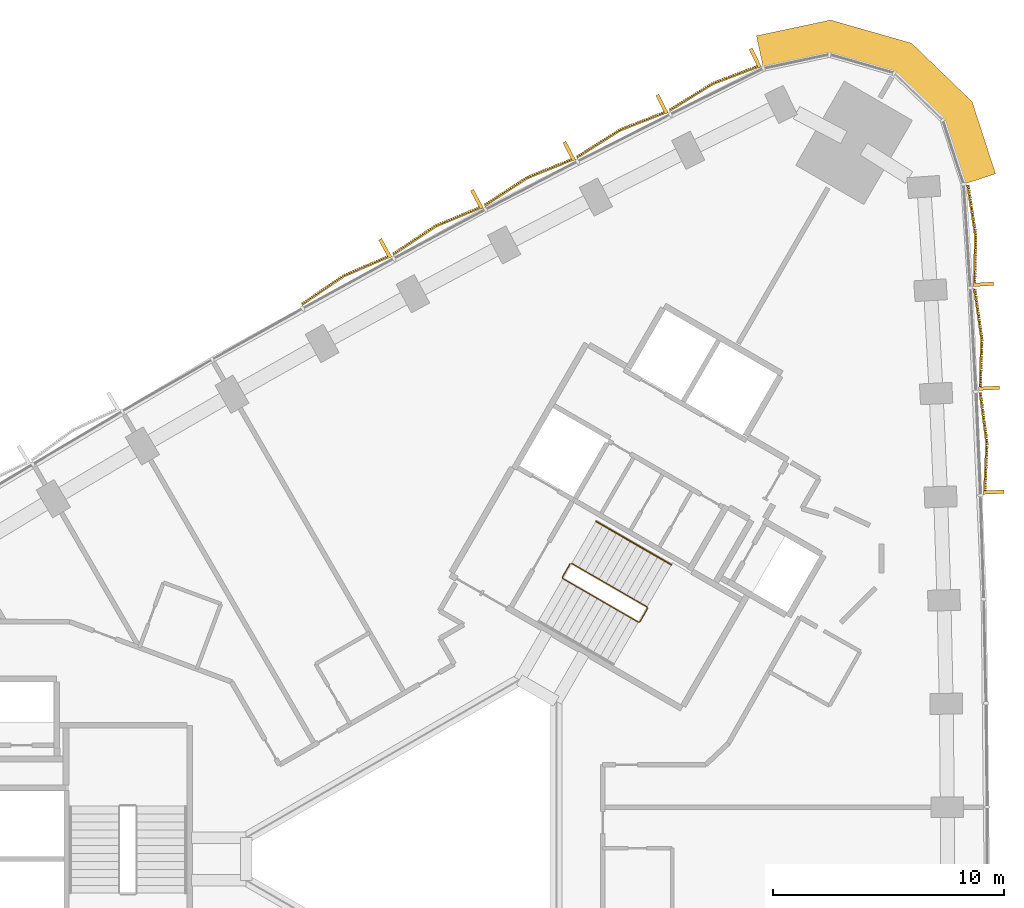
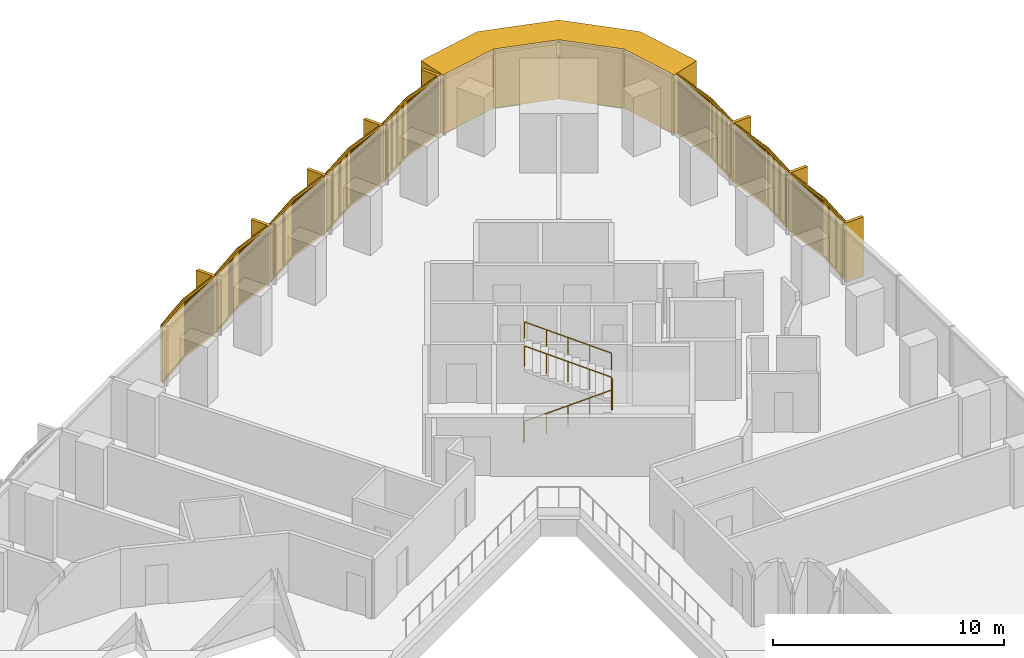
# One storey, part 15 of 15: 9 coverings, 2 railings.
"""IFC4 building model written with IfcOpenShell, lengths in metres."""

from ifc_helpers import new_model, si_unit, direction, frame, frame_2d, origin, origin_2d, place, context, subcontext, project, spatial, polyline, rectangle, circle, outline, extrude, source, transform, mapped, material, layer, layer_set, type_object, element, save


model = new_model("IFC4")

# Units and contexts
model_context = context("Model", 3, precision=1e-05, world=origin(), true_north=direction((0.0, 1.0)))
body_context = subcontext(model_context, "Body", "Model", "MODEL_VIEW")
ifc_project = project(units=[si_unit("LENGTHUNIT", "METRE"), si_unit("AREAUNIT", "SQUARE_METRE"), si_unit("VOLUMEUNIT", "CUBIC_METRE"), si_unit("PLANEANGLEUNIT", "RADIAN"), si_unit("MASSUNIT", "GRAM", prefix="KILO")], contexts=[model_context])

# Site, building, storey
site_placement = place(None, origin())
site = spatial("IfcSite", under=ifc_project, at=site_placement, CompositionType="ELEMENT")
building_placement = place(site_placement, origin())
building = spatial("IfcBuilding", under=site, at=building_placement, Name="Tamra Quay Hotel Tower", CompositionType="ELEMENT")
storey_placement = place(building_placement, frame((0.0, 0.0, 42.199951171875)))
storey = spatial("IfcBuildingStorey", under=building, at=storey_placement, Name="L08", CompositionType="ELEMENT", Elevation=42.199951171875)

# Covering
ifc_material_1 = material(Name="Precast concrete M60 terracotta-coloured", Category="masonry")
ifc_layer = layer(ifc_material_1, 1.449951171875)
ifc_layer_set = layer_set([ifc_layer], Name="CORNER PIER PANEL")
covering_type_1 = type_object("IfcCoveringType", Name="CORNER PIER PANEL", PredefinedType="CLADDING", material=ifc_layer_set)
covering_placement = place(storey_placement, origin())
element("IfcCovering", 1, at=covering_placement, inside=storey, type_object=covering_type_1, Name="Corner pier L08.east", PredefinedType="CLADDING", context=body_context, shape_type="SweptSolid", body=[
    extrude(outline(polyline([(22.598876953125, 29.154296875), (23.977783203125, 29.602294921875), (22.96533203125, 32.718017578125), (20.3486328125, 35.244873046875), (16.85205078125, 36.24755859375), (13.6474609375, 35.56640625), (13.948974609375, 34.148193359375), (16.7998046875, 34.754150390625), (19.601318359375, 33.95068359375), (21.697998046875, 31.926025390625), (22.598876953125, 29.154296875)])), origin(), (0.0, 0.0, 1.0), 3.125),
])

# Railings
ifc_material_2 = material(Name="Stair guard 1100")
railing_type_1 = type_object("IfcRailingType", Name="Stair guard 1100", PredefinedType="GUARDRAIL", material=ifc_material_2)
railing_1_placement = place(storey_placement, frame((5.595458984375, 12.751953125, 0.0)))
element("IfcRailing", 2, at=railing_1_placement, inside=storey, type_object=railing_type_1, Name="GR", PredefinedType="GUARDRAIL", context=body_context, shape_type="SweptSolid", body=[
    extrude(circle(Radius=0.02392578125, at=origin_2d()), frame((0.0, 0.0, 1.076171875), z_axis=(-0.499765215335, -0.866160914346, 0.0), x_axis=(0.866160914346, -0.499765215335, 0.0)), (0.0, 0.0, 1.0), 0.658935546875),
    extrude(circle(Radius=0.02392578125, at=origin_2d()), frame((-0.329345703125, -0.57080078125, 1.076171875), z_axis=(0.110378772244, -0.410609032747, 0.905105932399), x_axis=(0.965715946433, 0.259601060869, 0.0)), (0.0, 0.0, 1.0), 0.165771484375),
    extrude(circle(Radius=0.02392578125, at=origin_2d()), frame((-0.31103515625, -0.638916015625, 1.22607421875), z_axis=(0.793078462799, -0.457933869594, 0.401650498471), x_axis=(0.500040788363, 0.866001853331, 0.0)), (0.0, 0.0, 1.0), 4.10791015625),
    extrude(circle(Radius=0.02392578125, at=origin_2d()), frame((2.94677734375, -2.52001953125, 2.8759765625), z_axis=(0.965948051503, 0.258736085224, 0.0), x_axis=(-0.258736085224, 0.965948051503, 0.0)), (0.0, 0.0, 1.0), 0.07080078125),
    extrude(circle(Radius=0.02392578125, at=origin_2d()), frame((3.01513671875, -2.501708984375, 2.8759765625), z_axis=(0.500043078269, 0.866000531106, 0.0), x_axis=(-0.866000531106, 0.500043078269, 0.0)), (0.0, 0.0, 1.0), 0.6591796875),
    extrude(circle(Radius=0.02392578125, at=origin_2d()), frame((3.3447265625, -1.930908203125, 2.8759765625), z_axis=(-0.110525977783, 0.411156637351, 0.904839338113), x_axis=(-0.965715946433, -0.259601060869, 0.0)), (0.0, 0.0, 1.0), 0.165771484375),
    extrude(circle(Radius=0.02392578125, at=origin_2d()), frame((3.326416015625, -1.86279296875, 3.02587890625), z_axis=(-0.793081581205, 0.457901355053, 0.401681409319), x_axis=(-0.500012686397, -0.866018079166, 0.0)), (0.0, 0.0, 1.0), 4.108154296875),
    extrude(circle(Radius=0.02099609375, at=origin_2d()), origin(), (0.0, 0.0, 1.0), 1.052001953125),
    extrude(circle(Radius=0.02099609375, at=origin_2d()), frame((-0.329345703125, -0.57080078125, 0.0)), (0.0, 0.0, 1.0), 1.052001953125),
    extrude(circle(Radius=0.02099609375, at=origin_2d()), frame((-0.31103515625, -0.638916015625, 0.150146484375)), (0.0, 0.0, 1.0), 1.052001953125),
    extrude(circle(Radius=0.02099609375, at=origin_2d()), frame((0.50341796875, -1.109130859375, 0.5625)), (0.0, 0.0, 1.0), 1.052001953125),
    extrude(circle(Radius=0.02099609375, at=origin_2d()), frame((1.31787109375, -1.57958984375, 0.97509765625)), (0.0, 0.0, 1.0), 1.052001953125),
    extrude(circle(Radius=0.02099609375, at=origin_2d()), frame((2.13232421875, -2.0498046875, 1.3876953125)), (0.0, 0.0, 1.0), 1.052001953125),
    extrude(circle(Radius=0.02099609375, at=origin_2d()), frame((2.94677734375, -2.52001953125, 1.800048828125)), (0.0, 0.0, 1.0), 1.052001953125),
    extrude(circle(Radius=0.02099609375, at=origin_2d()), frame((3.01513671875, -2.501708984375, 1.800048828125)), (0.0, 0.0, 1.0), 1.052001953125),
    extrude(circle(Radius=0.02099609375, at=origin_2d()), frame((3.3447265625, -1.930908203125, 1.800048828125)), (0.0, 0.0, 1.0), 1.052001953125),
    extrude(circle(Radius=0.02099609375, at=origin_2d()), frame((3.326416015625, -1.86279296875, 1.949951171875)), (0.0, 0.0, 1.0), 1.052001953125),
    extrude(circle(Radius=0.02099609375, at=origin_2d()), frame((2.511962890625, -1.392578125, 2.362548828125)), (0.0, 0.0, 1.0), 1.052001953125),
    extrude(circle(Radius=0.02099609375, at=origin_2d()), frame((1.697265625, -0.92236328125, 2.77490234375)), (0.0, 0.0, 1.0), 1.052001953125),
    extrude(circle(Radius=0.02099609375, at=origin_2d()), frame((0.8828125, -0.451904296875, 3.1875)), (0.0, 0.0, 1.0), 1.052001953125),
    extrude(circle(Radius=0.02099609375, at=origin_2d()), frame((0.068359375, 0.018310546875, 3.60009765625)), (0.0, 0.0, 1.0), 1.052001953125),
])
ifc_material_3 = material(Name="Stair handrail 900")
railing_type_2 = type_object("IfcRailingType", Name="Stair handrail 900", PredefinedType="HANDRAIL", material=ifc_material_3)
railing_2_placement = place(storey_placement, frame((9.971923828125, 12.7080078125, 1.949951171875)))
element("IfcRailing", 3, at=railing_2_placement, inside=storey, type_object=railing_type_2, Name="HR", PredefinedType="HANDRAIL", context=body_context, shape_type="SweptSolid", body=[
    extrude(circle(Radius=0.02392578125, at=origin_2d()), frame((0.0, 0.0, 0.8759765625), z_axis=(-0.793103162556, 0.457854384738, 0.401692339881), x_axis=(-0.499964013922, -0.86604617936, 0.0)), (0.0, 0.0, 1.0), 4.10791015625),
    extrude(circle(Radius=0.02099609375, at=origin_2d()), origin(), (0.0, 0.0, 1.0), 0.851806640625),
    extrude(circle(Radius=0.02099609375, at=origin_2d()), frame((-0.814453125, 0.47021484375, 0.41259765625)), (0.0, 0.0, 1.0), 0.851806640625),
    extrude(circle(Radius=0.02099609375, at=origin_2d()), frame((-1.62890625, 0.9404296875, 0.8251953125)), (0.0, 0.0, 1.0), 0.851806640625),
    extrude(circle(Radius=0.02099609375, at=origin_2d()), frame((-2.443603515625, 1.41064453125, 1.237548828125)), (0.0, 0.0, 1.0), 0.851806640625),
    extrude(circle(Radius=0.02099609375, at=origin_2d()), frame((-3.258056640625, 1.880859375, 1.650146484375)), (0.0, 0.0, 1.0), 0.851806640625),
])

# Coverings
ifc_material_4 = material(Name="Terracotta baguette extruded", Category="masonry")
covering_type_2 = type_object("IfcCoveringType", Name="BAGUETTE SCREEN E-V H3125", PredefinedType="USERDEFINED", material=ifc_material_4)
shared_shape_1 = source(origin(), body_context, "Body", "SweptSolid", [
    extrude(rectangle(XDim=2.2109375, YDim=0.06005859375, at=frame_2d((1.10546875, 0.030029296875))), frame((-2.207763671875, -0.057861328125, -0.1201171875), z_axis=(0.0, 0.0, 1.0), x_axis=(0.996194698092, -0.087155742748, 0.0)), (0.0, 0.0, 1.0), 0.1201171875),
    extrude(rectangle(XDim=2.2109375, YDim=0.06005859375, at=frame_2d((1.10546875, 0.030029296875))), frame((-2.207763671875, -0.057861328125, -3.125), z_axis=(0.0, 0.0, 1.0), x_axis=(0.996194698092, -0.087155742748, 0.0)), (0.0, 0.0, 1.0), 0.1201171875),
    extrude(rectangle(XDim=0.070068359375, YDim=0.10009765625, at=frame_2d((0.03515625, 0.050048828125))), frame((-2.1875, -0.13232421875, -3.06494140625)), (0.0, 0.0, 1.0), 3.0048828125),
    extrude(rectangle(XDim=0.070068359375, YDim=0.10009765625, at=frame_2d((0.03515625, 0.050048828125))), frame((-2.08740234375, -0.14111328125, -3.06494140625)), (0.0, 0.0, 1.0), 3.0048828125),
    extrude(rectangle(XDim=0.070068359375, YDim=0.10009765625, at=frame_2d((0.03515625, 0.050048828125))), frame((-1.9873046875, -0.14990234375, -3.06494140625)), (0.0, 0.0, 1.0), 3.0048828125),
    extrude(rectangle(XDim=0.070068359375, YDim=0.10009765625, at=frame_2d((0.03515625, 0.050048828125))), frame((-1.88720703125, -0.15869140625, -3.06494140625)), (0.0, 0.0, 1.0), 3.0048828125),
    extrude(rectangle(XDim=0.070068359375, YDim=0.10009765625, at=frame_2d((0.03515625, 0.050048828125))), frame((-1.787109375, -0.16748046875, -3.06494140625)), (0.0, 0.0, 1.0), 3.0048828125),
    extrude(rectangle(XDim=0.070068359375, YDim=0.10009765625, at=frame_2d((0.03515625, 0.050048828125))), frame((-1.686767578125, -0.17626953125, -3.06494140625)), (0.0, 0.0, 1.0), 3.0048828125),
    extrude(rectangle(XDim=0.070068359375, YDim=0.10009765625, at=frame_2d((0.03515625, 0.050048828125))), frame((-1.586669921875, -0.184814453125, -3.06494140625)), (0.0, 0.0, 1.0), 3.0048828125),
    extrude(rectangle(XDim=0.070068359375, YDim=0.10009765625, at=frame_2d((0.03515625, 0.050048828125))), frame((-1.486572265625, -0.193603515625, -3.06494140625)), (0.0, 0.0, 1.0), 3.0048828125),
    extrude(rectangle(XDim=0.070068359375, YDim=0.10009765625, at=frame_2d((0.03515625, 0.050048828125))), frame((-1.386474609375, -0.202392578125, -3.06494140625)), (0.0, 0.0, 1.0), 3.0048828125),
    extrude(rectangle(XDim=0.070068359375, YDim=0.10009765625, at=frame_2d((0.03515625, 0.050048828125))), frame((-1.286376953125, -0.211181640625, -3.06494140625)), (0.0, 0.0, 1.0), 3.0048828125),
    extrude(rectangle(XDim=0.070068359375, YDim=0.10009765625, at=frame_2d((0.03515625, 0.050048828125))), frame((-1.186279296875, -0.219970703125, -3.06494140625)), (0.0, 0.0, 1.0), 3.0048828125),
    extrude(rectangle(XDim=0.070068359375, YDim=0.10009765625, at=frame_2d((0.03515625, 0.050048828125))), frame((-1.086181640625, -0.228759765625, -3.06494140625)), (0.0, 0.0, 1.0), 3.0048828125),
    extrude(rectangle(XDim=0.070068359375, YDim=0.10009765625, at=frame_2d((0.03515625, 0.050048828125))), frame((-0.986083984375, -0.237548828125, -3.06494140625)), (0.0, 0.0, 1.0), 3.0048828125),
    extrude(rectangle(XDim=0.070068359375, YDim=0.10009765625, at=frame_2d((0.03515625, 0.050048828125))), frame((-0.885986328125, -0.246337890625, -3.06494140625)), (0.0, 0.0, 1.0), 3.0048828125),
    extrude(rectangle(XDim=0.070068359375, YDim=0.10009765625, at=frame_2d((0.03515625, 0.050048828125))), frame((-0.785888671875, -0.2548828125, -3.06494140625)), (0.0, 0.0, 1.0), 3.0048828125),
    extrude(rectangle(XDim=0.070068359375, YDim=0.10009765625, at=frame_2d((0.03515625, 0.050048828125))), frame((-0.685791015625, -0.263671875, -3.06494140625)), (0.0, 0.0, 1.0), 3.0048828125),
    extrude(rectangle(XDim=0.070068359375, YDim=0.10009765625, at=frame_2d((0.03515625, 0.050048828125))), frame((-0.585693359375, -0.2724609375, -3.06494140625)), (0.0, 0.0, 1.0), 3.0048828125),
    extrude(rectangle(XDim=0.070068359375, YDim=0.10009765625, at=frame_2d((0.03515625, 0.050048828125))), frame((-0.485595703125, -0.28125, -3.06494140625)), (0.0, 0.0, 1.0), 3.0048828125),
    extrude(rectangle(XDim=0.070068359375, YDim=0.10009765625, at=frame_2d((0.03515625, 0.050048828125))), frame((-0.385498046875, -0.2900390625, -3.06494140625)), (0.0, 0.0, 1.0), 3.0048828125),
    extrude(rectangle(XDim=0.070068359375, YDim=0.10009765625, at=frame_2d((0.03515625, 0.050048828125))), frame((-0.285400390625, -0.298828125, -3.06494140625)), (0.0, 0.0, 1.0), 3.0048828125),
    extrude(rectangle(XDim=0.070068359375, YDim=0.10009765625, at=frame_2d((0.03515625, 0.050048828125))), frame((-0.18505859375, -0.3076171875, -3.06494140625)), (0.0, 0.0, 1.0), 3.0048828125),
    extrude(rectangle(XDim=0.070068359375, YDim=0.10009765625, at=frame_2d((0.03515625, 0.050048828125))), frame((-0.0849609375, -0.31640625, -3.06494140625)), (0.0, 0.0, 1.0), 3.0048828125),
    extrude(rectangle(XDim=2.2109375, YDim=0.06005859375, at=frame_2d((1.10546875, 0.030029296875))), frame((0.005126953125, -0.25048828125, -0.1201171875), z_axis=(0.0, 0.0, 1.0), x_axis=(0.996194698092, 0.087155742748, 0.0)), (0.0, 0.0, 1.0), 0.1201171875),
    extrude(rectangle(XDim=2.2109375, YDim=0.06005859375, at=frame_2d((1.10546875, 0.030029296875))), frame((0.005126953125, -0.25048828125, -3.125), z_axis=(0.0, 0.0, 1.0), x_axis=(0.996194698092, 0.087155742748, 0.0)), (0.0, 0.0, 1.0), 0.1201171875),
    extrude(rectangle(XDim=0.070068359375, YDim=0.10009765625, at=frame_2d((0.03515625, 0.050048828125))), frame((0.01513671875, -0.31640625, -3.06494140625)), (0.0, 0.0, 1.0), 3.0048828125),
    extrude(rectangle(XDim=0.070068359375, YDim=0.10009765625, at=frame_2d((0.03515625, 0.050048828125))), frame((0.115234375, -0.3076171875, -3.06494140625)), (0.0, 0.0, 1.0), 3.0048828125),
    extrude(rectangle(XDim=0.070068359375, YDim=0.10009765625, at=frame_2d((0.03515625, 0.050048828125))), frame((0.21533203125, -0.298828125, -3.06494140625)), (0.0, 0.0, 1.0), 3.0048828125),
    extrude(rectangle(XDim=0.070068359375, YDim=0.10009765625, at=frame_2d((0.03515625, 0.050048828125))), frame((0.3154296875, -0.2900390625, -3.06494140625)), (0.0, 0.0, 1.0), 3.0048828125),
    extrude(rectangle(XDim=0.070068359375, YDim=0.10009765625, at=frame_2d((0.03515625, 0.050048828125))), frame((0.41552734375, -0.28125, -3.06494140625)), (0.0, 0.0, 1.0), 3.0048828125),
    extrude(rectangle(XDim=0.070068359375, YDim=0.10009765625, at=frame_2d((0.03515625, 0.050048828125))), frame((0.515625, -0.2724609375, -3.06494140625)), (0.0, 0.0, 1.0), 3.0048828125),
    extrude(rectangle(XDim=0.070068359375, YDim=0.10009765625, at=frame_2d((0.03515625, 0.050048828125))), frame((0.61572265625, -0.263671875, -3.06494140625)), (0.0, 0.0, 1.0), 3.0048828125),
    extrude(rectangle(XDim=0.070068359375, YDim=0.10009765625, at=frame_2d((0.03515625, 0.050048828125))), frame((0.7158203125, -0.2548828125, -3.06494140625)), (0.0, 0.0, 1.0), 3.0048828125),
    extrude(rectangle(XDim=0.070068359375, YDim=0.10009765625, at=frame_2d((0.03515625, 0.050048828125))), frame((0.81591796875, -0.246337890625, -3.06494140625)), (0.0, 0.0, 1.0), 3.0048828125),
    extrude(rectangle(XDim=0.070068359375, YDim=0.10009765625, at=frame_2d((0.03515625, 0.050048828125))), frame((0.916015625, -0.237548828125, -3.06494140625)), (0.0, 0.0, 1.0), 3.0048828125),
    extrude(rectangle(XDim=0.070068359375, YDim=0.10009765625, at=frame_2d((0.03515625, 0.050048828125))), frame((1.01611328125, -0.228759765625, -3.06494140625)), (0.0, 0.0, 1.0), 3.0048828125),
    extrude(rectangle(XDim=0.070068359375, YDim=0.10009765625, at=frame_2d((0.03515625, 0.050048828125))), frame((1.1162109375, -0.219970703125, -3.06494140625)), (0.0, 0.0, 1.0), 3.0048828125),
    extrude(rectangle(XDim=0.070068359375, YDim=0.10009765625, at=frame_2d((0.03515625, 0.050048828125))), frame((1.21630859375, -0.211181640625, -3.06494140625)), (0.0, 0.0, 1.0), 3.0048828125),
    extrude(rectangle(XDim=0.070068359375, YDim=0.10009765625, at=frame_2d((0.03515625, 0.050048828125))), frame((1.316650390625, -0.202392578125, -3.06494140625)), (0.0, 0.0, 1.0), 3.0048828125),
    extrude(rectangle(XDim=0.070068359375, YDim=0.10009765625, at=frame_2d((0.03515625, 0.050048828125))), frame((1.416748046875, -0.193603515625, -3.06494140625)), (0.0, 0.0, 1.0), 3.0048828125),
    extrude(rectangle(XDim=0.070068359375, YDim=0.10009765625, at=frame_2d((0.03515625, 0.050048828125))), frame((1.516845703125, -0.184814453125, -3.06494140625)), (0.0, 0.0, 1.0), 3.0048828125),
    extrude(rectangle(XDim=0.070068359375, YDim=0.10009765625, at=frame_2d((0.03515625, 0.050048828125))), frame((1.616943359375, -0.17626953125, -3.06494140625)), (0.0, 0.0, 1.0), 3.0048828125),
    extrude(rectangle(XDim=0.070068359375, YDim=0.10009765625, at=frame_2d((0.03515625, 0.050048828125))), frame((1.717041015625, -0.16748046875, -3.06494140625)), (0.0, 0.0, 1.0), 3.0048828125),
    extrude(rectangle(XDim=0.070068359375, YDim=0.10009765625, at=frame_2d((0.03515625, 0.050048828125))), frame((1.817138671875, -0.15869140625, -3.06494140625)), (0.0, 0.0, 1.0), 3.0048828125),
    extrude(rectangle(XDim=0.070068359375, YDim=0.10009765625, at=frame_2d((0.03515625, 0.050048828125))), frame((1.917236328125, -0.14990234375, -3.06494140625)), (0.0, 0.0, 1.0), 3.0048828125),
    extrude(rectangle(XDim=0.070068359375, YDim=0.10009765625, at=frame_2d((0.03515625, 0.050048828125))), frame((2.017333984375, -0.14111328125, -3.06494140625)), (0.0, 0.0, 1.0), 3.0048828125),
    extrude(rectangle(XDim=0.070068359375, YDim=0.10009765625, at=frame_2d((0.03515625, 0.050048828125))), frame((2.117431640625, -0.13232421875, -3.06494140625)), (0.0, 0.0, 1.0), 3.0048828125),
    extrude(rectangle(XDim=0.14990234375, YDim=0.902099609375, at=frame_2d((0.074951171875, 0.451171875))), frame((-2.202392578125, -0.89990234375, -3.125)), (0.0, 0.0, 1.0), 3.125),
])
for number, where, z_axis, x_axis, name in (
    (4, (23.347412109375, 17.955078125, 3.125), (0.0, 0.0, 1.0), (-0.04328585604, 0.999062728094, 0.0), "Baguette screen L08.E.f10"),
    (5, (23.12890625, 22.440185546875, 3.125), (0.0, 0.0, 1.0), (-0.054062166947, 0.998537571704, 0.0), "Baguette screen L08.E.f11"),
    (6, (22.862060546875, 26.92236328125, 3.125), (0.0, 0.0, 1.0), (-0.064813190551, 0.997897414733, 0.0), "Baguette screen L08.E.f12"),
):
    element("IfcCovering", number, at=place(storey_placement, frame(where, z_axis=z_axis, x_axis=x_axis)), inside=storey, type_object=covering_type_2, Name=name, ObjectType="BAGUETTE SCREEN", PredefinedType="USERDEFINED", context=body_context, shape_type="MappedRepresentation", body=[
        mapped(shared_shape_1, transform((0.0, 0.0, 0.0), scale=1.0)),
    ])
covering_type_3 = type_object("IfcCoveringType", Name="BAGUETTE SCREEN NW-V H3125", PredefinedType="USERDEFINED", material=ifc_material_4)
shared_shape_2 = source(origin(), body_context, "Body", "SweptSolid", [
    extrude(rectangle(XDim=2.212646484375, YDim=0.06005859375, at=frame_2d((1.1064453125, 0.030029296875))), frame((-2.208251953125, -0.0576171875, -0.1201171875), z_axis=(0.0, 0.0, 1.0), x_axis=(0.995396198367, -0.09584575252, 0.0)), (0.0, 0.0, 1.0), 0.1201171875),
    extrude(rectangle(XDim=2.212646484375, YDim=0.06005859375, at=frame_2d((1.1064453125, 0.030029296875))), frame((-2.208251953125, -0.0576171875, -3.125), z_axis=(0.0, 0.0, 1.0), x_axis=(0.995396198367, -0.09584575252, 0.0)), (0.0, 0.0, 1.0), 0.1201171875),
    extrude(rectangle(XDim=0.070068359375, YDim=0.10009765625, at=frame_2d((0.03515625, 0.050048828125))), frame((-2.1875, -0.1328125, -3.06494140625)), (0.0, 0.0, 1.0), 3.0048828125),
    extrude(rectangle(XDim=0.070068359375, YDim=0.10009765625, at=frame_2d((0.03515625, 0.050048828125))), frame((-2.08740234375, -0.142578125, -3.06494140625)), (0.0, 0.0, 1.0), 3.0048828125),
    extrude(rectangle(XDim=0.070068359375, YDim=0.10009765625, at=frame_2d((0.03515625, 0.050048828125))), frame((-1.9873046875, -0.152099609375, -3.06494140625)), (0.0, 0.0, 1.0), 3.0048828125),
    extrude(rectangle(XDim=0.070068359375, YDim=0.10009765625, at=frame_2d((0.03515625, 0.050048828125))), frame((-1.88720703125, -0.16162109375, -3.06494140625)), (0.0, 0.0, 1.0), 3.0048828125),
    extrude(rectangle(XDim=0.070068359375, YDim=0.10009765625, at=frame_2d((0.03515625, 0.050048828125))), frame((-1.787109375, -0.17138671875, -3.06494140625)), (0.0, 0.0, 1.0), 3.0048828125),
    extrude(rectangle(XDim=0.070068359375, YDim=0.10009765625, at=frame_2d((0.03515625, 0.050048828125))), frame((-1.686767578125, -0.180908203125, -3.06494140625)), (0.0, 0.0, 1.0), 3.0048828125),
    extrude(rectangle(XDim=0.070068359375, YDim=0.10009765625, at=frame_2d((0.03515625, 0.050048828125))), frame((-1.586669921875, -0.190673828125, -3.06494140625)), (0.0, 0.0, 1.0), 3.0048828125),
    extrude(rectangle(XDim=0.070068359375, YDim=0.10009765625, at=frame_2d((0.03515625, 0.050048828125))), frame((-1.486572265625, -0.2001953125, -3.06494140625)), (0.0, 0.0, 1.0), 3.0048828125),
    extrude(rectangle(XDim=0.070068359375, YDim=0.10009765625, at=frame_2d((0.03515625, 0.050048828125))), frame((-1.386474609375, -0.2099609375, -3.06494140625)), (0.0, 0.0, 1.0), 3.0048828125),
    extrude(rectangle(XDim=0.070068359375, YDim=0.10009765625, at=frame_2d((0.03515625, 0.050048828125))), frame((-1.286376953125, -0.219482421875, -3.06494140625)), (0.0, 0.0, 1.0), 3.0048828125),
    extrude(rectangle(XDim=0.070068359375, YDim=0.10009765625, at=frame_2d((0.03515625, 0.050048828125))), frame((-1.186279296875, -0.229248046875, -3.06494140625)), (0.0, 0.0, 1.0), 3.0048828125),
    extrude(rectangle(XDim=0.070068359375, YDim=0.10009765625, at=frame_2d((0.03515625, 0.050048828125))), frame((-1.086181640625, -0.23876953125, -3.06494140625)), (0.0, 0.0, 1.0), 3.0048828125),
    extrude(rectangle(XDim=0.070068359375, YDim=0.10009765625, at=frame_2d((0.03515625, 0.050048828125))), frame((-0.986083984375, -0.24853515625, -3.06494140625)), (0.0, 0.0, 1.0), 3.0048828125),
    extrude(rectangle(XDim=0.070068359375, YDim=0.10009765625, at=frame_2d((0.03515625, 0.050048828125))), frame((-0.885986328125, -0.258056640625, -3.06494140625)), (0.0, 0.0, 1.0), 3.0048828125),
    extrude(rectangle(XDim=0.070068359375, YDim=0.10009765625, at=frame_2d((0.03515625, 0.050048828125))), frame((-0.785888671875, -0.267822265625, -3.06494140625)), (0.0, 0.0, 1.0), 3.0048828125),
    extrude(rectangle(XDim=0.070068359375, YDim=0.10009765625, at=frame_2d((0.03515625, 0.050048828125))), frame((-0.685791015625, -0.27734375, -3.06494140625)), (0.0, 0.0, 1.0), 3.0048828125),
    extrude(rectangle(XDim=0.070068359375, YDim=0.10009765625, at=frame_2d((0.03515625, 0.050048828125))), frame((-0.585693359375, -0.287109375, -3.06494140625)), (0.0, 0.0, 1.0), 3.0048828125),
    extrude(rectangle(XDim=0.070068359375, YDim=0.10009765625, at=frame_2d((0.03515625, 0.050048828125))), frame((-0.485595703125, -0.296630859375, -3.06494140625)), (0.0, 0.0, 1.0), 3.0048828125),
    extrude(rectangle(XDim=0.070068359375, YDim=0.10009765625, at=frame_2d((0.03515625, 0.050048828125))), frame((-0.385498046875, -0.306396484375, -3.06494140625)), (0.0, 0.0, 1.0), 3.0048828125),
    extrude(rectangle(XDim=0.070068359375, YDim=0.10009765625, at=frame_2d((0.03515625, 0.050048828125))), frame((-0.285400390625, -0.31591796875, -3.06494140625)), (0.0, 0.0, 1.0), 3.0048828125),
    extrude(rectangle(XDim=0.070068359375, YDim=0.10009765625, at=frame_2d((0.03515625, 0.050048828125))), frame((-0.18505859375, -0.32568359375, -3.06494140625)), (0.0, 0.0, 1.0), 3.0048828125),
    extrude(rectangle(XDim=0.070068359375, YDim=0.10009765625, at=frame_2d((0.03515625, 0.050048828125))), frame((-0.0849609375, -0.335205078125, -3.06494140625)), (0.0, 0.0, 1.0), 3.0048828125),
    extrude(rectangle(XDim=2.212646484375, YDim=0.06005859375, at=frame_2d((1.1064453125, 0.030029296875))), frame((0.005859375, -0.269775390625, -0.1201171875), z_axis=(0.0, 0.0, 1.0), x_axis=(0.995396198367, 0.09584575252, 0.0)), (0.0, 0.0, 1.0), 0.1201171875),
    extrude(rectangle(XDim=2.212646484375, YDim=0.06005859375, at=frame_2d((1.1064453125, 0.030029296875))), frame((0.005859375, -0.269775390625, -3.125), z_axis=(0.0, 0.0, 1.0), x_axis=(0.995396198367, 0.09584575252, 0.0)), (0.0, 0.0, 1.0), 0.1201171875),
    extrude(rectangle(XDim=0.070068359375, YDim=0.10009765625, at=frame_2d((0.03515625, 0.050048828125))), frame((0.01513671875, -0.335205078125, -3.06494140625)), (0.0, 0.0, 1.0), 3.0048828125),
    extrude(rectangle(XDim=0.070068359375, YDim=0.10009765625, at=frame_2d((0.03515625, 0.050048828125))), frame((0.115234375, -0.32568359375, -3.06494140625)), (0.0, 0.0, 1.0), 3.0048828125),
    extrude(rectangle(XDim=0.070068359375, YDim=0.10009765625, at=frame_2d((0.03515625, 0.050048828125))), frame((0.21533203125, -0.31591796875, -3.06494140625)), (0.0, 0.0, 1.0), 3.0048828125),
    extrude(rectangle(XDim=0.070068359375, YDim=0.10009765625, at=frame_2d((0.03515625, 0.050048828125))), frame((0.3154296875, -0.306396484375, -3.06494140625)), (0.0, 0.0, 1.0), 3.0048828125),
    extrude(rectangle(XDim=0.070068359375, YDim=0.10009765625, at=frame_2d((0.03515625, 0.050048828125))), frame((0.41552734375, -0.296630859375, -3.06494140625)), (0.0, 0.0, 1.0), 3.0048828125),
    extrude(rectangle(XDim=0.070068359375, YDim=0.10009765625, at=frame_2d((0.03515625, 0.050048828125))), frame((0.515625, -0.287109375, -3.06494140625)), (0.0, 0.0, 1.0), 3.0048828125),
    extrude(rectangle(XDim=0.070068359375, YDim=0.10009765625, at=frame_2d((0.03515625, 0.050048828125))), frame((0.61572265625, -0.27734375, -3.06494140625)), (0.0, 0.0, 1.0), 3.0048828125),
    extrude(rectangle(XDim=0.070068359375, YDim=0.10009765625, at=frame_2d((0.03515625, 0.050048828125))), frame((0.7158203125, -0.267822265625, -3.06494140625)), (0.0, 0.0, 1.0), 3.0048828125),
    extrude(rectangle(XDim=0.070068359375, YDim=0.10009765625, at=frame_2d((0.03515625, 0.050048828125))), frame((0.81591796875, -0.258056640625, -3.06494140625)), (0.0, 0.0, 1.0), 3.0048828125),
    extrude(rectangle(XDim=0.070068359375, YDim=0.10009765625, at=frame_2d((0.03515625, 0.050048828125))), frame((0.916015625, -0.24853515625, -3.06494140625)), (0.0, 0.0, 1.0), 3.0048828125),
    extrude(rectangle(XDim=0.070068359375, YDim=0.10009765625, at=frame_2d((0.03515625, 0.050048828125))), frame((1.01611328125, -0.23876953125, -3.06494140625)), (0.0, 0.0, 1.0), 3.0048828125),
    extrude(rectangle(XDim=0.070068359375, YDim=0.10009765625, at=frame_2d((0.03515625, 0.050048828125))), frame((1.1162109375, -0.229248046875, -3.06494140625)), (0.0, 0.0, 1.0), 3.0048828125),
    extrude(rectangle(XDim=0.070068359375, YDim=0.10009765625, at=frame_2d((0.03515625, 0.050048828125))), frame((1.21630859375, -0.219482421875, -3.06494140625)), (0.0, 0.0, 1.0), 3.0048828125),
    extrude(rectangle(XDim=0.070068359375, YDim=0.10009765625, at=frame_2d((0.03515625, 0.050048828125))), frame((1.316650390625, -0.2099609375, -3.06494140625)), (0.0, 0.0, 1.0), 3.0048828125),
    extrude(rectangle(XDim=0.070068359375, YDim=0.10009765625, at=frame_2d((0.03515625, 0.050048828125))), frame((1.416748046875, -0.2001953125, -3.06494140625)), (0.0, 0.0, 1.0), 3.0048828125),
    extrude(rectangle(XDim=0.070068359375, YDim=0.10009765625, at=frame_2d((0.03515625, 0.050048828125))), frame((1.516845703125, -0.190673828125, -3.06494140625)), (0.0, 0.0, 1.0), 3.0048828125),
    extrude(rectangle(XDim=0.070068359375, YDim=0.10009765625, at=frame_2d((0.03515625, 0.050048828125))), frame((1.616943359375, -0.180908203125, -3.06494140625)), (0.0, 0.0, 1.0), 3.0048828125),
    extrude(rectangle(XDim=0.070068359375, YDim=0.10009765625, at=frame_2d((0.03515625, 0.050048828125))), frame((1.717041015625, -0.17138671875, -3.06494140625)), (0.0, 0.0, 1.0), 3.0048828125),
    extrude(rectangle(XDim=0.070068359375, YDim=0.10009765625, at=frame_2d((0.03515625, 0.050048828125))), frame((1.817138671875, -0.16162109375, -3.06494140625)), (0.0, 0.0, 1.0), 3.0048828125),
    extrude(rectangle(XDim=0.070068359375, YDim=0.10009765625, at=frame_2d((0.03515625, 0.050048828125))), frame((1.917236328125, -0.152099609375, -3.06494140625)), (0.0, 0.0, 1.0), 3.0048828125),
    extrude(rectangle(XDim=0.070068359375, YDim=0.10009765625, at=frame_2d((0.03515625, 0.050048828125))), frame((2.017333984375, -0.142578125, -3.06494140625)), (0.0, 0.0, 1.0), 3.0048828125),
    extrude(rectangle(XDim=0.070068359375, YDim=0.10009765625, at=frame_2d((0.03515625, 0.050048828125))), frame((2.117431640625, -0.1328125, -3.06494140625)), (0.0, 0.0, 1.0), 3.0048828125),
    extrude(rectangle(XDim=0.14990234375, YDim=0.902099609375, at=frame_2d((0.074951171875, 0.451171875))), frame((-2.202392578125, -0.89990234375, -3.125)), (0.0, 0.0, 1.0), 3.125),
])
for number, where, z_axis, x_axis, name in (
    (7, (11.884521484375, 33.26025390625, 3.125), (0.0, 0.0, 1.0), (-0.896611106805, -0.442818837849, 0.0), "Baguette screen L08.NW.f00"),
    (8, (7.869384765625, 31.250244140625, 3.125), (0.0, 0.0, 1.0), (-0.891789987202, -0.452449575893, 0.0), "Baguette screen L08.NW.f01"),
    (9, (3.8759765625, 29.197021484375, 3.125), (0.0, 0.0, 1.0), (-0.886856630524, -0.462044713092, 0.0), "Baguette screen L08.NW.f02"),
    (10, (-0.0947265625, 27.10107421875, 3.125), (0.0, 0.0, 1.0), (-0.88180596184, -0.471612389218, 0.0), "Baguette screen L08.NW.f03"),
    (11, (-4.04296875, 24.9619140625, 3.125), (0.0, 0.0, 1.0), (-0.876651100562, -0.48112664433, 0.0), "Baguette screen L08.NW.f04"),
):
    element("IfcCovering", number, at=place(storey_placement, frame(where, z_axis=z_axis, x_axis=x_axis)), inside=storey, type_object=covering_type_3, Name=name, ObjectType="BAGUETTE SCREEN", PredefinedType="USERDEFINED", context=body_context, shape_type="MappedRepresentation", body=[
        mapped(shared_shape_2, transform((0.0, 0.0, 0.0), scale=1.0)),
    ])

save(model, "model.ifc")
